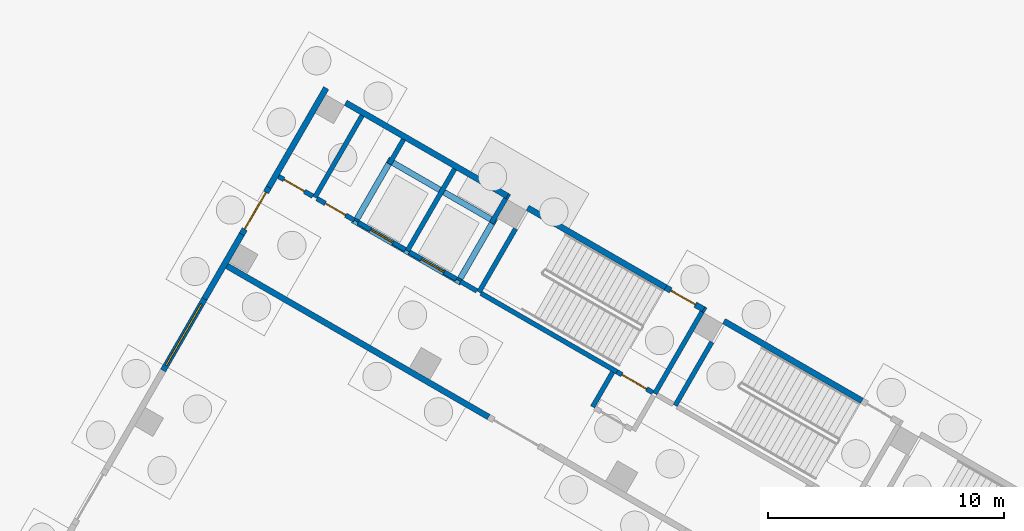
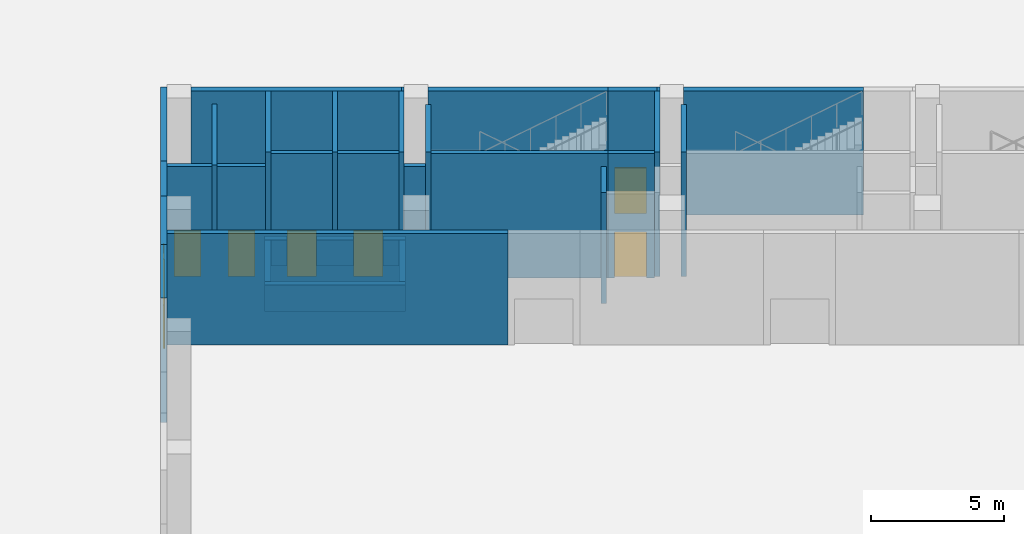
# One storey, part 24 of 38: 30 walls, 7 doors, 1 window, 8 openings.
"""IFC4 building model written with IfcOpenShell, lengths in metres."""

from ifc_helpers import new_model, si_unit, direction, frame, frame_2d, origin, place, context, subcontext, project, spatial, rectangle, extrude, material, layer, layer_set, type_object, element, fill, save


model = new_model("IFC4")

# Units and contexts
model_context = context("Model", 3, precision=1e-05, world=origin(), true_north=direction((0.0, 1.0)))
body_context = subcontext(model_context, "Body", "Model", "MODEL_VIEW")
ifc_project = project(units=[si_unit("LENGTHUNIT", "METRE"), si_unit("AREAUNIT", "SQUARE_METRE"), si_unit("VOLUMEUNIT", "CUBIC_METRE"), si_unit("PLANEANGLEUNIT", "RADIAN"), si_unit("MASSUNIT", "GRAM", prefix="KILO")], contexts=[model_context])

# Site, building, storey
site_placement = place(None, origin())
site = spatial("IfcSite", under=ifc_project, at=site_placement, CompositionType="ELEMENT")
building_placement = place(site_placement, origin())
building = spatial("IfcBuilding", under=site, at=building_placement, Name="Mestral Congress Tower", CompositionType="ELEMENT")
storey_placement = place(building_placement, origin())
storey = spatial("IfcBuildingStorey", under=building, at=storey_placement, Name="L00", CompositionType="ELEMENT", Elevation=0.0)

# Walls
ifc_material_1 = material(Name="Concrete C35/45", Category="concrete")
ifc_layer_1 = layer(ifc_material_1, 0.25)
ifc_layer_set_1 = layer_set([ifc_layer_1], Name="Concrete C35/45")
wall_type_1 = type_object("IfcWallType", Name="Lift pit wall 250 C35/45", PredefinedType="SOLIDWALL", material=ifc_layer_set_1)
wall_1_placement = place(storey_placement, frame((-36.718505859375, 65.857421875, -1.5), z_axis=(0.0, 0.0, 1.0), x_axis=(-0.866020664882, 0.50000820793, 0.0)))
element("IfcWall", 1, at=wall_1_placement, inside=storey, type_object=wall_type_1, Name="WL-PIT-W0-A", PredefinedType="SOLIDWALL", context=body_context, shape_type="SweptSolid", body=[
    extrude(rectangle(XDim=5.30029296875, YDim=0.25, at=frame_2d((2.650146484375, 0.0))), origin(), (0.0, 0.0, 1.0), 1.199951171875),
])
wall_2_placement = place(storey_placement, frame((-38.193603515625, 63.302734375, -1.5), z_axis=(0.0, 0.0, 1.0), x_axis=(-0.866029095148, 0.499993606316, 0.0)))
element("IfcWall", 2, at=wall_2_placement, inside=storey, type_object=wall_type_1, Name="WL-PIT-W0-B", PredefinedType="SOLIDWALL", context=body_context, shape_type="SweptSolid", body=[
    extrude(rectangle(XDim=5.2998046875, YDim=0.25, at=frame_2d((2.64990234375, 0.0))), origin(), (0.0, 0.0, 1.0), 1.199951171875),
])
wall_3_placement = place(storey_placement, frame((-36.889404296875, 65.811767578125, -1.5), z_axis=(0.0, 0.0, 1.0), x_axis=(-0.4999416173, -0.866059108428, 0.0)))
element("IfcWall", 3, at=wall_3_placement, inside=storey, type_object=wall_type_1, Name="WL-PIT-W0-C", PredefinedType="SOLIDWALL", context=body_context, shape_type="SweptSolid", body=[
    extrude(rectangle(XDim=2.699951171875, YDim=0.25, at=frame_2d((1.35009765625, 0.0))), origin(), (0.0, 0.0, 1.0), 1.199951171875),
])
wall_4_placement = place(storey_placement, frame((-41.2626953125, 68.3369140625, -1.5), z_axis=(0.0, 0.0, 1.0), x_axis=(-0.50000943426, -0.866019956843, 0.0)))
element("IfcWall", 4, at=wall_4_placement, inside=storey, type_object=wall_type_1, Name="WL-PIT-W0-D", PredefinedType="SOLIDWALL", context=body_context, shape_type="SweptSolid", body=[
    extrude(rectangle(XDim=2.7001953125, YDim=0.25, at=frame_2d((1.35009765625, 0.0))), origin(), (0.0, 0.0, 1.0), 1.199951171875),
])
ifc_material_2 = material(Name="Precast concrete C40/50 with limestone facing", Category="masonry")
ifc_layer_2 = layer(ifc_material_2, 0.25)
ifc_layer_set_2 = layer_set([ifc_layer_2], Name="Precast concrete C40/50 with limestone facing")
wall_type_2 = type_object("IfcWallType", Name="Podium external wall 250", PredefinedType="SOLIDWALL", material=ifc_layer_set_2)
wall_5_placement = place(storey_placement, frame((-46.34033203125, 67.34228515625, 0.0), z_axis=(0.0, 0.0, 1.0), x_axis=(0.500010041276, 0.866019606374, 0.0)))
element("IfcWall", 5, at=wall_5_placement, inside=storey, type_object=wall_type_2, Name="L00 external wall", PredefinedType="SOLIDWALL", context=body_context, shape_type="SweptSolid", body=[
    extrude(rectangle(XDim=4.85009765625, YDim=0.25, at=frame_2d((2.425048828125, 0.0))), origin(), (0.0, 0.0, 1.0), 5.699951171875),
])

# Wall, opening, door
wall_6_placement = place(storey_placement, frame((-47.490234375, 65.350341796875, 0.0), z_axis=(0.0, 0.0, 1.0), x_axis=(0.499952165731, 0.866053019151, 0.0)))
wall_6 = element("IfcWall", 6, at=wall_6_placement, inside=storey, type_object=wall_type_2, Name="L00 external wall", PredefinedType="SOLIDWALL", context=body_context, shape_type="SweptSolid", body=[
    extrude(rectangle(XDim=2.300048828125, YDim=0.25, at=frame_2d((1.14990234375, 0.0))), origin(), (0.0, 0.0, 1.0), 5.699951171875),
])
opening_1_placement = place(wall_6_placement, frame((0.25, 0.0, 0.0)))
opening_1 = element("IfcOpeningElement", 7, at=opening_1_placement, cuts=wall_6, Name="Opening P00-307", PredefinedType="OPENING", context=body_context, shape_type="SweptSolid", body=[
    extrude(rectangle(XDim=1.800048828125, YDim=2.10009765625, at=frame_2d((0.89990234375, 1.050048828125))), frame((0.0, 0.135009765625, 0.0), z_axis=(0.0, -1.0, 0.0), x_axis=(1.0, 0.0, 0.0)), (0.0, 0.0, 1.0), 0.27001953125),
])
ifc_material_3 = material(Name="Steel and glass door set", Category="steel")
door_type_1 = type_object("IfcDoorType", Name="Podium exit door 1800x2100", OperationType="DOUBLE_DOOR_SINGLE_SWING", PredefinedType="DOOR", material=ifc_material_3)
door_1_placement = place(opening_1_placement, origin())
door_1 = element("IfcDoor", 8, at=door_1_placement, inside=storey, type_object=door_type_1, Name="Door P00-307", OperationType="DOUBLE_DOOR_SINGLE_SWING", OverallHeight=2.10009765625, OverallWidth=1.800048828125, PredefinedType="DOOR", context=body_context, shape_type="SweptSolid", body=[
    extrude(rectangle(XDim=1.800048828125, YDim=2.10009765625, at=frame_2d((0.89990234375, 1.050048828125))), frame((0.0, 0.02490234375, 0.0), z_axis=(0.0, -1.0, 0.0), x_axis=(1.0, 0.0, 0.0)), (0.0, 0.0, 1.0), 0.050048828125),
])
fill(opening_1, door_1)

# Wall
wall_7_placement = place(storey_placement, frame((-49.0712890625, 62.612060546875, 0.0), z_axis=(0.0, 0.0, 1.0), x_axis=(0.500025443912, 0.866010713236, 0.0)))
element("IfcWall", 9, at=wall_7_placement, inside=storey, type_object=wall_type_2, Name="L00 external wall", PredefinedType="SOLIDWALL", context=body_context, shape_type="SweptSolid", body=[
    extrude(rectangle(XDim=3.161865234375, YDim=0.25, at=frame_2d((1.5810546875, 0.0))), origin(), (0.0, 0.0, 1.0), 5.699951171875),
])

# Wall, opening, window
wall_8_placement = place(storey_placement, frame((-50.8212890625, 59.5810546875, 0.0), z_axis=(0.0, 0.0, 1.0), x_axis=(0.500010275428, 0.866019471182, 0.0)))
wall_8 = element("IfcWall", 10, at=wall_8_placement, inside=storey, type_object=wall_type_2, Name="L00 external wall", PredefinedType="SOLIDWALL", context=body_context, shape_type="SweptSolid", body=[
    extrude(rectangle(XDim=3.5, YDim=0.25, at=frame_2d((1.75, 0.0))), origin(), (0.0, 0.0, 1.0), 5.699951171875),
])
opening_2_placement = place(wall_8_placement, frame((0.25, 0.0, 3.199951171875)))
opening_2 = element("IfcOpeningElement", 11, at=opening_2_placement, cuts=wall_8, Name="Opening PW-3000x2000", PredefinedType="OPENING", context=body_context, shape_type="SweptSolid", body=[
    extrude(rectangle(XDim=3.0, YDim=2.0, at=frame_2d((1.5, 1.0))), frame((0.0, 0.135009765625, 0.0), z_axis=(0.0, -1.0, 0.0), x_axis=(1.0, 0.0, 0.0)), (0.0, 0.0, 1.0), 0.27001953125),
])
ifc_material_4 = material(Name="Aluminium frame, clear double glazing", Category="aluminium")
window_type = type_object("IfcWindowType", Name="Podium window 3000x2000 sill 3200", PartitioningType="SINGLE_PANEL", PredefinedType="WINDOW", material=ifc_material_4)
window_placement = place(opening_2_placement, origin())
window = element("IfcWindow", 12, at=window_placement, inside=storey, type_object=window_type, Name="Window", OverallHeight=2.0, OverallWidth=3.0, PartitioningType="SINGLE_PANEL", PredefinedType="WINDOW", context=body_context, shape_type="SweptSolid", body=[
    extrude(rectangle(XDim=3.0, YDim=2.0, at=frame_2d((1.5, 1.0))), frame((0.0, 0.030029296875, 0.0), z_axis=(0.0, -1.0, 0.0), x_axis=(1.0, 0.0, 0.0)), (0.0, 0.0, 1.0), 0.06005859375),
])
fill(opening_2, window)

# Wall
wall_9_placement = place(storey_placement, frame((-27.068603515625, 61.671630859375, 0.0), z_axis=(0.0, 0.0, 1.0), x_axis=(0.866026575979, -0.499997969693, 0.0)))
element("IfcWall", 13, at=wall_9_placement, inside=storey, type_object=wall_type_2, Name="L00 external wall", PredefinedType="SOLIDWALL", context=body_context, shape_type="SweptSolid", body=[
    extrude(rectangle(XDim=6.75, YDim=0.25, at=frame_2d((3.375, 0.0))), origin(), (0.0, 0.0, 1.0), 5.699951171875),
])

# Wall, opening, door
wall_10_placement = place(storey_placement, frame((-29.536865234375, 63.0966796875, 0.0), z_axis=(0.0, 0.0, 1.0), x_axis=(0.866033964044, -0.499985172903, 0.0)))
wall_10 = element("IfcWall", 14, at=wall_10_placement, inside=storey, type_object=wall_type_2, Name="L00 external wall", PredefinedType="SOLIDWALL", context=body_context, shape_type="SweptSolid", body=[
    extrude(rectangle(XDim=1.85009765625, YDim=0.25, at=frame_2d((0.925048828125, 0.0))), origin(), (0.0, 0.0, 1.0), 5.699951171875),
])
opening_3_placement = place(wall_10_placement, frame((0.25, 0.0, 0.0)))
opening_3 = element("IfcOpeningElement", 15, at=opening_3_placement, cuts=wall_10, Name="Opening P00-315", PredefinedType="OPENING", context=body_context, shape_type="SweptSolid", body=[
    extrude(rectangle(XDim=1.199951171875, YDim=2.10009765625, at=frame_2d((0.60009765625, 1.050048828125))), frame((0.0, 0.135009765625, 0.0), z_axis=(0.0, -1.0, 0.0), x_axis=(1.0, 0.0, 0.0)), (0.0, 0.0, 1.0), 0.27001953125),
])
door_type_2 = type_object("IfcDoorType", Name="Podium exit door 1200x2100", OperationType="SINGLE_SWING_LEFT", PredefinedType="DOOR", material=ifc_material_3)
door_2_placement = place(opening_3_placement, origin())
door_2 = element("IfcDoor", 16, at=door_2_placement, inside=storey, type_object=door_type_2, Name="Door P00-315", OperationType="SINGLE_SWING_LEFT", OverallHeight=2.10009765625, OverallWidth=1.199951171875, PredefinedType="DOOR", context=body_context, shape_type="SweptSolid", body=[
    extrude(rectangle(XDim=1.199951171875, YDim=2.10009765625, at=frame_2d((0.60009765625, 1.050048828125))), frame((0.0, 0.02490234375, 0.0), z_axis=(0.0, -1.0, 0.0), x_axis=(1.0, 0.0, 0.0)), (0.0, 0.0, 1.0), 0.050048828125),
])
fill(opening_3, door_2)

# Walls
wall_11_placement = place(storey_placement, frame((-35.382568359375, 66.4716796875, 0.0), z_axis=(0.0, 0.0, 1.0), x_axis=(0.866026575979, -0.499997969693, 0.0)))
element("IfcWall", 17, at=wall_11_placement, inside=storey, type_object=wall_type_2, Name="L00 external wall", PredefinedType="SOLIDWALL", context=body_context, shape_type="SweptSolid", body=[
    extrude(rectangle(XDim=6.75, YDim=0.25, at=frame_2d((3.375, 0.0))), origin(), (0.0, 0.0, 1.0), 5.699951171875),
])
wall_12_placement = place(storey_placement, frame((-43.090087890625, 70.921630859375, 0.0), z_axis=(0.0, 0.0, 1.0), x_axis=(0.866026562566, -0.499997992926, 0.0)))
element("IfcWall", 18, at=wall_12_placement, inside=storey, type_object=wall_type_2, Name="L00 external wall", PredefinedType="SOLIDWALL", context=body_context, shape_type="SweptSolid", body=[
    extrude(rectangle(XDim=7.89990234375, YDim=0.25, at=frame_2d((3.949951171875, 0.0))), origin(), (0.0, 0.0, 1.0), 5.699951171875),
])
for number, where, z_axis, x_axis, name in (
    (19, (-27.9345703125, 62.171630859375, 0.0), (0.0, 0.0, 1.0), (0.865982457891, -0.500074377092, 0.0), "L00 external wall"),
    (20, (-36.24853515625, 66.9716796875, 0.0), (0.0, 0.0, 1.0), (0.865982457891, -0.500074377092, 0.0), "L00 external wall"),
):
    element("IfcWall", number, at=place(storey_placement, frame(where, z_axis=z_axis, x_axis=x_axis)), inside=storey, type_object=wall_type_2, Name=name, PredefinedType="SOLIDWALL", context=body_context, shape_type="SweptSolid", body=[
        extrude(rectangle(XDim=0.10009765625, YDim=0.25, at=frame_2d((0.050048828125, 0.0))), origin(), (0.0, 0.0, 1.0), 5.699951171875),
    ])
ifc_material_5 = material(Name="Masonry block wall", Category="masonry")
ifc_layer_3 = layer(ifc_material_5, 0.25)
ifc_layer_set_3 = layer_set([ifc_layer_3], Name="Masonry block wall")
wall_type_3 = type_object("IfcWallType", Name="Podium hall wall 250 EI 180", PredefinedType="SOLIDWALL", material=ifc_layer_set_3)
wall_13_placement = place(storey_placement, frame((-37.034423828125, 57.610595703125, 0.0), z_axis=(0.0, 0.0, 1.0), x_axis=(-0.866025499775, 0.499999833739, 0.0)))
element("IfcWall", 21, at=wall_13_placement, inside=storey, type_object=wall_type_3, Name="L00 partition", PredefinedType="SOLIDWALL", context=body_context, shape_type="SweptSolid", body=[
    extrude(rectangle(XDim=12.7998046875, YDim=0.25, at=frame_2d((6.39990234375, 0.0))), origin(), (0.0, 0.0, 1.0), 5.10009765625),
])
ifc_layer_4 = layer(ifc_material_5, 0.199951171875)
ifc_layer_set_4 = layer_set([ifc_layer_4], Name="Masonry block wall")
wall_type_4 = type_object("IfcWallType", Name="Podium stair enclosure wall 200 EI 120 load-bearing", PredefinedType="SOLIDWALL", material=ifc_layer_set_4)
wall_14_placement = place(storey_placement, frame((-27.5810546875, 60.7841796875, 0.0), z_axis=(0.0, 0.0, 1.0), x_axis=(-0.49999285859, -0.86602952684, 0.0)))
element("IfcWall", 22, at=wall_14_placement, inside=storey, type_object=wall_type_4, Name="L00 partition", PredefinedType="SOLIDWALL", context=body_context, shape_type="SweptSolid", body=[
    extrude(rectangle(XDim=3.10009765625, YDim=0.199951171875, at=frame_2d((1.550048828125, 0.0))), origin(), (0.0, 0.0, 1.0), 5.699951171875),
])
wall_15_placement = place(storey_placement, frame((-27.9970703125, 62.0634765625, 0.0), z_axis=(0.0, 0.0, 1.0), x_axis=(-0.49999894854, -0.866026010844, 0.0)))
element("IfcWall", 23, at=wall_15_placement, inside=storey, type_object=wall_type_4, Name="L00 partition", PredefinedType="SOLIDWALL", context=body_context, shape_type="SweptSolid", body=[
    extrude(rectangle(XDim=4.0, YDim=0.199951171875, at=frame_2d((2.0, 0.0))), origin(), (0.0, 0.0, 1.0), 5.699951171875),
])
wall_16_placement = place(storey_placement, frame((-35.89501953125, 65.583984375, 0.0), z_axis=(0.0, 0.0, 1.0), x_axis=(-0.500026960575, -0.86600983753, 0.0)))
element("IfcWall", 24, at=wall_16_placement, inside=storey, type_object=wall_type_4, Name="L00 partition", PredefinedType="SOLIDWALL", context=body_context, shape_type="SweptSolid", body=[
    extrude(rectangle(XDim=3.099853515625, YDim=0.199951171875, at=frame_2d((1.5498046875, 0.0))), origin(), (0.0, 0.0, 1.0), 5.699951171875),
])

# Wall, opening, door
wall_17_placement = place(storey_placement, frame((-31.599365234375, 59.5244140625, 0.0), z_axis=(0.0, 0.0, 1.0), x_axis=(0.866036909293, -0.499980071345, 0.0)))
wall_17 = element("IfcWall", 25, at=wall_17_placement, inside=storey, type_object=wall_type_4, Name="L00 partition", PredefinedType="SOLIDWALL", context=body_context, shape_type="SweptSolid", body=[
    extrude(rectangle(XDim=1.75, YDim=0.199951171875, at=frame_2d((0.875, 0.0))), origin(), (0.0, 0.0, 1.0), 5.699951171875),
])
opening_4_placement = place(wall_17_placement, frame((0.25, 0.0, 0.0)))
opening_4 = element("IfcOpeningElement", 26, at=opening_4_placement, cuts=wall_17, Name="Opening P00-321", PredefinedType="OPENING", context=body_context, shape_type="SweptSolid", body=[
    extrude(rectangle(XDim=1.199951171875, YDim=2.10009765625, at=frame_2d((0.60009765625, 1.050048828125))), frame((0.0, 0.10986328125, 0.0), z_axis=(0.0, -1.0, 0.0), x_axis=(1.0, 0.0, 0.0)), (0.0, 0.0, 1.0), 0.219970703125),
])
ifc_material_6 = material(Name="Fire-rated steel door set", Category="steel")
door_type_3 = type_object("IfcDoorType", Name="Podium stair door 1200x2100 EI2 30-C5", OperationType="SINGLE_SWING_LEFT", PredefinedType="DOOR", material=ifc_material_6)
door_3_placement = place(opening_4_placement, origin())
door_3 = element("IfcDoor", 27, at=door_3_placement, inside=storey, type_object=door_type_3, Name="Door P00-321", OperationType="SINGLE_SWING_LEFT", OverallHeight=2.10009765625, OverallWidth=1.199951171875, PredefinedType="DOOR", context=body_context, shape_type="SweptSolid", body=[
    extrude(rectangle(XDim=1.199951171875, YDim=2.10009765625, at=frame_2d((0.60009765625, 1.050048828125))), frame((0.0, 0.02490234375, 0.0), z_axis=(0.0, -1.0, 0.0), x_axis=(1.0, 0.0, 0.0)), (0.0, 0.0, 1.0), 0.050048828125),
])
fill(opening_4, door_3)

# Walls
wall_18_placement = place(storey_placement, frame((-31.599365234375, 59.5244140625, 0.0), z_axis=(0.0, 0.0, 1.0), x_axis=(-0.866027239912, 0.49999681972, 0.0)))
element("IfcWall", 28, at=wall_18_placement, inside=storey, type_object=wall_type_4, Name="L00 partition", PredefinedType="SOLIDWALL", context=body_context, shape_type="SweptSolid", body=[
    extrude(rectangle(XDim=6.64990234375, YDim=0.199951171875, at=frame_2d((3.324951171875, 0.0))), origin(), (0.0, 0.0, 1.0), 5.699951171875),
])
for number, where, z_axis, x_axis, name in (
    (29, (-36.31103515625, 66.863525390625, 0.0), (0.0, 0.0, 1.0), (-0.49999894854, -0.866026010844, 0.0), "L00 partition"),
    (30, (-38.47607421875, 68.113525390625, 0.0), (0.0, 0.0, 1.0), (-0.49999894854, -0.866026010844, 0.0), "L00 partition"),
    (31, (-40.64111328125, 69.363525390625, 0.0), (0.0, 0.0, 1.0), (-0.49999894854, -0.866026010844, 0.0), "L00 partition"),
):
    element("IfcWall", number, at=place(storey_placement, frame(where, z_axis=z_axis, x_axis=x_axis)), inside=storey, type_object=wall_type_4, Name=name, PredefinedType="SOLIDWALL", context=body_context, shape_type="SweptSolid", body=[
        extrude(rectangle(XDim=4.0, YDim=0.199951171875, at=frame_2d((2.0, 0.0))), origin(), (0.0, 0.0, 1.0), 5.699951171875),
    ])

# Wall, opening, door
wall_19_placement = place(storey_placement, frame((-40.389404296875, 64.599365234375, 0.0), z_axis=(0.0, 0.0, 1.0), x_axis=(0.86602648383, -0.499998129301, 0.0)))
wall_19 = element("IfcWall", 32, at=wall_19_placement, inside=storey, type_object=wall_type_4, Name="L00 partition", PredefinedType="SOLIDWALL", context=body_context, shape_type="SweptSolid", body=[
    extrude(rectangle(XDim=2.2998046875, YDim=0.199951171875, at=frame_2d((1.14990234375, 0.0))), origin(), (0.0, 0.0, 1.0), 5.699951171875),
])
opening_5_placement = place(wall_19_placement, frame((0.60009765625, 0.0, 0.0)))
opening_5 = element("IfcOpeningElement", 33, at=opening_5_placement, cuts=wall_19, Name="Opening P00-325", PredefinedType="OPENING", context=body_context, shape_type="SweptSolid", body=[
    extrude(rectangle(XDim=1.10009765625, YDim=2.10009765625, at=frame_2d((0.550048828125, 1.050048828125))), frame((0.0, 0.10986328125, 0.0), z_axis=(0.0, -1.0, 0.0), x_axis=(1.0, 0.0, 0.0)), (0.0, 0.0, 1.0), 0.219970703125),
])
door_type_4 = type_object("IfcDoorType", Name="Podium lift landing door 1100x2100 EI2 60-C5", OperationType="DOUBLE_DOOR_SLIDING", PredefinedType="DOOR", material=ifc_material_6)
door_4_placement = place(opening_5_placement, origin())
door_4 = element("IfcDoor", 34, at=door_4_placement, inside=storey, type_object=door_type_4, Name="Door P00-325", OperationType="DOUBLE_DOOR_SLIDING", OverallHeight=2.10009765625, OverallWidth=1.10009765625, PredefinedType="DOOR", context=body_context, shape_type="SweptSolid", body=[
    extrude(rectangle(XDim=1.10009765625, YDim=2.10009765625, at=frame_2d((0.550048828125, 1.050048828125))), frame((0.0, 0.02490234375, 0.0), z_axis=(0.0, -1.0, 0.0), x_axis=(1.0, 0.0, 0.0)), (0.0, 0.0, 1.0), 0.050048828125),
])
fill(opening_5, door_4)

wall_20_placement = place(storey_placement, frame((-42.554443359375, 65.849365234375, 0.0), z_axis=(0.0, 0.0, 1.0), x_axis=(0.86602648383, -0.499998129301, 0.0)))
wall_20 = element("IfcWall", 35, at=wall_20_placement, inside=storey, type_object=wall_type_4, Name="L00 partition", PredefinedType="SOLIDWALL", context=body_context, shape_type="SweptSolid", body=[
    extrude(rectangle(XDim=2.2998046875, YDim=0.199951171875, at=frame_2d((1.14990234375, 0.0))), origin(), (0.0, 0.0, 1.0), 5.699951171875),
])
opening_6_placement = place(wall_20_placement, frame((0.60009765625, 0.0, 0.0)))
opening_6 = element("IfcOpeningElement", 36, at=opening_6_placement, cuts=wall_20, Name="Opening P00-326", PredefinedType="OPENING", context=body_context, shape_type="SweptSolid", body=[
    extrude(rectangle(XDim=1.10009765625, YDim=2.10009765625, at=frame_2d((0.550048828125, 1.050048828125))), frame((0.0, 0.10986328125, 0.0), z_axis=(0.0, -1.0, 0.0), x_axis=(1.0, 0.0, 0.0)), (0.0, 0.0, 1.0), 0.219970703125),
])
door_5_placement = place(opening_6_placement, origin())
door_5 = element("IfcDoor", 37, at=door_5_placement, inside=storey, type_object=door_type_4, Name="Door P00-326", OperationType="DOUBLE_DOOR_SLIDING", OverallHeight=2.10009765625, OverallWidth=1.10009765625, PredefinedType="DOOR", context=body_context, shape_type="SweptSolid", body=[
    extrude(rectangle(XDim=1.10009765625, YDim=2.10009765625, at=frame_2d((0.550048828125, 1.050048828125))), frame((0.0, 0.02490234375, 0.0), z_axis=(0.0, -1.0, 0.0), x_axis=(1.0, 0.0, 0.0)), (0.0, 0.0, 1.0), 0.050048828125),
])
fill(opening_6, door_5)

# Walls
ifc_material_7 = material(Name="Fire-rated board partition")
ifc_layer_5 = layer(ifc_material_7, 0.199951171875)
ifc_layer_set_5 = layer_set([ifc_layer_5], Name="Fire-rated board partition")
wall_type_5 = type_object("IfcWallType", Name="Podium vestibule wall 200 EI 120", PredefinedType="PARTITIONING", material=ifc_layer_set_5)
wall_21_placement = place(storey_placement, frame((-31.779296875, 59.5126953125, 0.0), z_axis=(0.0, 0.0, 1.0), x_axis=(-0.499954529098, -0.86605165483, 0.0)))
element("IfcWall", 38, at=wall_21_placement, inside=storey, type_object=wall_type_5, Name="L00 partition", PredefinedType="PARTITIONING", context=body_context, shape_type="SweptSolid", body=[
    extrude(rectangle(XDim=1.699951171875, YDim=0.199951171875, at=frame_2d((0.85009765625, 0.0))), origin(), (0.0, 0.0, 1.0), 5.10009765625),
])
wall_22_placement = place(storey_placement, frame((-42.394775390625, 70.3759765625, 0.0), z_axis=(0.0, 0.0, 1.0), x_axis=(-0.49999894854, -0.866026010844, 0.0)))
element("IfcWall", 39, at=wall_22_placement, inside=storey, type_object=wall_type_5, Name="L00 partition", PredefinedType="PARTITIONING", context=body_context, shape_type="SweptSolid", body=[
    extrude(rectangle(XDim=4.0, YDim=0.199951171875, at=frame_2d((2.0, 0.0))), origin(), (0.0, 0.0, 1.0), 5.10009765625),
])

# Wall, opening, door
wall_23_placement = place(storey_placement, frame((-44.30810546875, 66.86181640625, 0.0), z_axis=(0.0, 0.0, 1.0), x_axis=(0.866036312054, -0.499981105847, 0.0)))
wall_23 = element("IfcWall", 40, at=wall_23_placement, inside=storey, type_object=wall_type_5, Name="L00 partition", PredefinedType="PARTITIONING", context=body_context, shape_type="SweptSolid", body=[
    extrude(rectangle(XDim=1.82470703125, YDim=0.199951171875, at=frame_2d((0.912353515625, 0.0))), origin(), (0.0, 0.0, 1.0), 5.10009765625),
])
opening_7_placement = place(wall_23_placement, frame((0.41259765625, 0.0, 0.0)))
opening_7 = element("IfcOpeningElement", 41, at=opening_7_placement, cuts=wall_23, Name="Opening P00-342", PredefinedType="OPENING", context=body_context, shape_type="SweptSolid", body=[
    extrude(rectangle(XDim=1.0, YDim=2.10009765625, at=frame_2d((0.5, 1.050048828125))), frame((0.0, 0.10986328125, 0.0), z_axis=(0.0, -1.0, 0.0), x_axis=(1.0, 0.0, 0.0)), (0.0, 0.0, 1.0), 0.219970703125),
])
door_type_5 = type_object("IfcDoorType", Name="Podium room door 1000x2100 EI2 30-C5", OperationType="SINGLE_SWING_LEFT", PredefinedType="DOOR", material=ifc_material_6)
door_6_placement = place(opening_7_placement, origin())
door_6 = element("IfcDoor", 42, at=door_6_placement, inside=storey, type_object=door_type_5, Name="Door P00-342", OperationType="SINGLE_SWING_LEFT", OverallHeight=2.10009765625, OverallWidth=1.0, PredefinedType="DOOR", context=body_context, shape_type="SweptSolid", body=[
    extrude(rectangle(XDim=1.0, YDim=2.10009765625, at=frame_2d((0.5, 1.050048828125))), frame((0.0, 0.02490234375, 0.0), z_axis=(0.0, -1.0, 0.0), x_axis=(1.0, 0.0, 0.0)), (0.0, 0.0, 1.0), 0.050048828125),
])
fill(opening_7, door_6)

wall_24_placement = place(storey_placement, frame((-45.931884765625, 67.79931640625, 0.0), z_axis=(0.0, 0.0, 1.0), x_axis=(0.866027799164, -0.499995851058, 0.0)))
wall_24 = element("IfcWall", 43, at=wall_24_placement, inside=storey, type_object=wall_type_5, Name="L00 partition", PredefinedType="PARTITIONING", context=body_context, shape_type="SweptSolid", body=[
    extrude(rectangle(XDim=1.6748046875, YDim=0.199951171875, at=frame_2d((0.83740234375, 0.0))), origin(), (0.0, 0.0, 1.0), 5.10009765625),
])
opening_8_placement = place(wall_24_placement, frame((0.262451171875, 0.0, 0.0)))
opening_8 = element("IfcOpeningElement", 44, at=opening_8_placement, cuts=wall_24, Name="Opening P00-343", PredefinedType="OPENING", context=body_context, shape_type="SweptSolid", body=[
    extrude(rectangle(XDim=1.0, YDim=2.10009765625, at=frame_2d((0.5, 1.050048828125))), frame((0.0, 0.10986328125, 0.0), z_axis=(0.0, -1.0, 0.0), x_axis=(1.0, 0.0, 0.0)), (0.0, 0.0, 1.0), 0.219970703125),
])
door_7_placement = place(opening_8_placement, origin())
door_7 = element("IfcDoor", 45, at=door_7_placement, inside=storey, type_object=door_type_5, Name="Door P00-343", OperationType="SINGLE_SWING_LEFT", OverallHeight=2.10009765625, OverallWidth=1.0, PredefinedType="DOOR", context=body_context, shape_type="SweptSolid", body=[
    extrude(rectangle(XDim=1.0, YDim=2.10009765625, at=frame_2d((0.5, 1.050048828125))), frame((0.0, 0.02490234375, 0.0), z_axis=(0.0, -1.0, 0.0), x_axis=(1.0, 0.0, 0.0)), (0.0, 0.0, 1.0), 0.050048828125),
])
fill(opening_8, door_7)

# Wall
wall_25_placement = place(storey_placement, frame((-37.531494140625, 62.949462890625, 0.0), z_axis=(0.0, 0.0, 1.0), x_axis=(-0.866094119867, 0.499880961361, 0.0)))
element("IfcWall", 46, at=wall_25_placement, inside=storey, type_object=wall_type_5, Name="L00 partition", PredefinedType="PARTITIONING", context=body_context, shape_type="SweptSolid", body=[
    extrude(rectangle(XDim=0.800048828125, YDim=0.199951171875, at=frame_2d((0.39990234375, 0.0))), origin(), (0.0, 0.0, 1.0), 5.10009765625),
])

save(model, "model.ifc")
